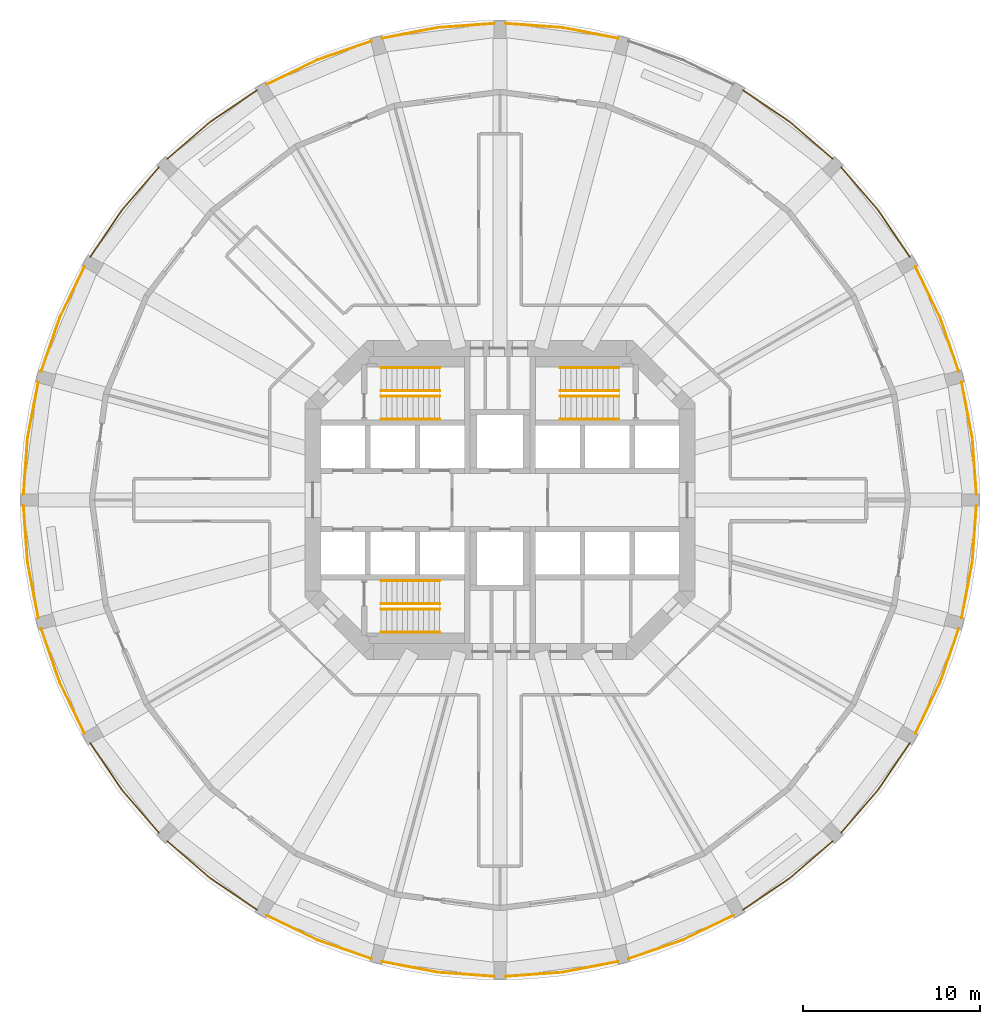
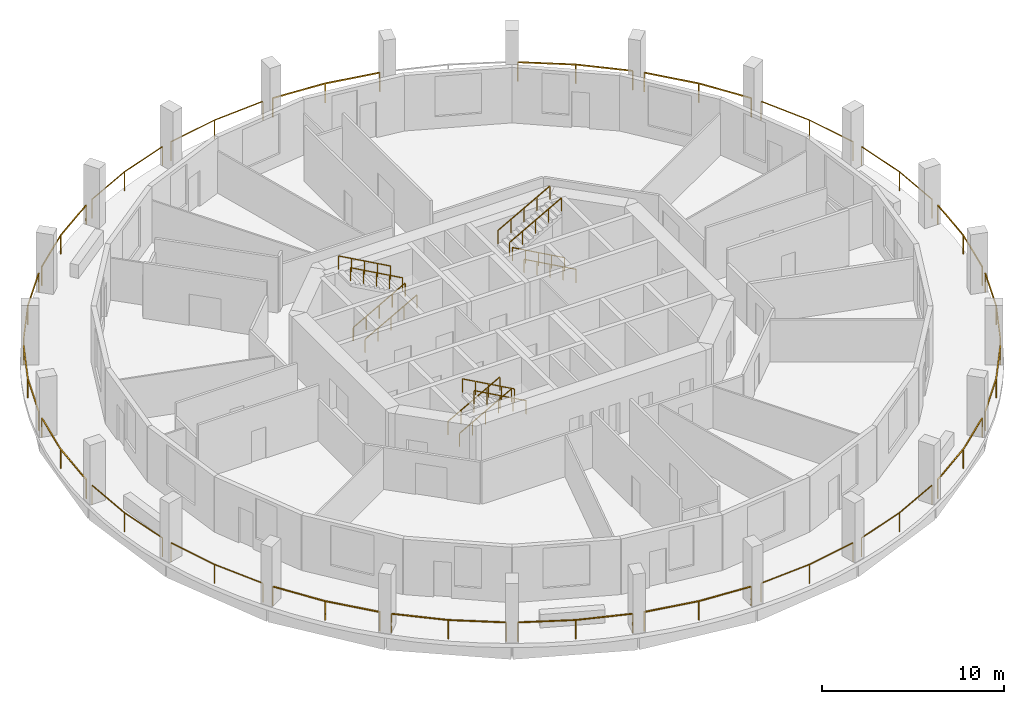
# One storey, part 8 of 9: 35 railings.
"""IFC4 building model written with IfcOpenShell, lengths in metres."""

from ifc_helpers import new_model, si_unit, direction, frame, origin, origin_2d, place, context, subcontext, project, spatial, rectangle, extrude, material, type_object, element, save


model = new_model("IFC4")

# Units and contexts
model_context = context("Model", 3, precision=1e-05, world=origin(), true_north=direction((0.0, 1.0)))
body_context = subcontext(model_context, "Body", "Model", "MODEL_VIEW")
ifc_project = project(units=[si_unit("LENGTHUNIT", "METRE"), si_unit("AREAUNIT", "SQUARE_METRE"), si_unit("VOLUMEUNIT", "CUBIC_METRE"), si_unit("PLANEANGLEUNIT", "RADIAN"), si_unit("MASSUNIT", "GRAM", prefix="KILO")], contexts=[model_context])

# Site, building, storey
site_placement = place(None, origin())
site = spatial("IfcSite", under=ifc_project, at=site_placement, CompositionType="ELEMENT")
building_placement = place(site_placement, origin())
building = spatial("IfcBuilding", under=site, at=building_placement, Name="Torre Triforio", CompositionType="ELEMENT")
storey_placement = place(building_placement, frame((0.0, 0.0, 71.0)))
storey = spatial("IfcBuildingStorey", under=building, at=storey_placement, Name="L15", CompositionType="ELEMENT", Elevation=71.0)

# Railings
ifc_material = material(Name="Stainless steel AISI 316", Category="steel")
railing_type_1 = type_object("IfcRailingType", Name="HANDRAIL 920", PredefinedType="HANDRAIL", material=ifc_material)
for number, where, name in (
    (1, (-6.699951171875, 4.550048828125, 0.166748046875), "Handrail ST1"),
    (2, (-6.699951171875, 5.85009765625, 0.166748046875), "Handrail ST1"),
):
    element("IfcRailing", number, at=place(storey_placement, frame(where)), inside=storey, type_object=railing_type_1, Name=name, PredefinedType="HANDRAIL", context=body_context, shape_type="SweptSolid", body=[
        extrude(rectangle(XDim=0.048095703125, YDim=0.048095703125, at=origin_2d()), frame((0.0, 0.0, 0.89599609375), z_axis=(0.874169478083, 0.0, 0.485620966999), x_axis=(0.0, 1.0, 0.0)), (0.0, 0.0, 1.0), 3.775146484375),
        extrude(rectangle(XDim=0.0419921875, YDim=0.0419921875, at=origin_2d()), origin(), (0.0, 0.0, 1.0), 0.871826171875),
        extrude(rectangle(XDim=0.0419921875, YDim=0.0419921875, at=origin_2d()), frame((0.824951171875, 0.0, 0.458251953125)), (0.0, 0.0, 1.0), 0.871826171875),
        extrude(rectangle(XDim=0.0419921875, YDim=0.0419921875, at=origin_2d()), frame((1.64990234375, 0.0, 0.91650390625)), (0.0, 0.0, 1.0), 0.871826171875),
        extrude(rectangle(XDim=0.0419921875, YDim=0.0419921875, at=origin_2d()), frame((2.47509765625, 0.0, 1.375)), (0.0, 0.0, 1.0), 0.871826171875),
        extrude(rectangle(XDim=0.0419921875, YDim=0.0419921875, at=origin_2d()), frame((3.300048828125, 0.0, 1.833251953125)), (0.0, 0.0, 1.0), 0.871826171875),
    ])
for number, where, name in (
    (3, (-3.39990234375, 7.449951171875, 2.166748046875), "Handrail ST1"),
    (4, (-3.39990234375, 6.14990234375, 2.166748046875), "Handrail ST1"),
    (5, (6.699951171875, 4.550048828125, 0.166748046875), "Handrail ST2"),
    (6, (6.699951171875, 5.85009765625, 0.166748046875), "Handrail ST2"),
):
    element("IfcRailing", number, at=place(storey_placement, frame(where)), inside=storey, type_object=railing_type_1, Name=name, PredefinedType="HANDRAIL", context=body_context, shape_type="SweptSolid", body=[
        extrude(rectangle(XDim=0.048095703125, YDim=0.048095703125, at=origin_2d()), frame((0.0, 0.0, 0.89599609375), z_axis=(-0.874169478083, 0.0, 0.485620966999), x_axis=(0.0, -1.0, 0.0)), (0.0, 0.0, 1.0), 3.775146484375),
        extrude(rectangle(XDim=0.0419921875, YDim=0.0419921875, at=origin_2d()), origin(), (0.0, 0.0, 1.0), 0.871826171875),
        extrude(rectangle(XDim=0.0419921875, YDim=0.0419921875, at=origin_2d()), frame((-0.824951171875, 0.0, 0.458251953125)), (0.0, 0.0, 1.0), 0.871826171875),
        extrude(rectangle(XDim=0.0419921875, YDim=0.0419921875, at=origin_2d()), frame((-1.64990234375, 0.0, 0.91650390625)), (0.0, 0.0, 1.0), 0.871826171875),
        extrude(rectangle(XDim=0.0419921875, YDim=0.0419921875, at=origin_2d()), frame((-2.47509765625, 0.0, 1.375)), (0.0, 0.0, 1.0), 0.871826171875),
        extrude(rectangle(XDim=0.0419921875, YDim=0.0419921875, at=origin_2d()), frame((-3.300048828125, 0.0, 1.833251953125)), (0.0, 0.0, 1.0), 0.871826171875),
    ])
for number, where, name in (
    (7, (3.39990234375, 7.449951171875, 2.166748046875), "Handrail ST2"),
    (8, (3.39990234375, 6.14990234375, 2.166748046875), "Handrail ST2"),
    (9, (-6.699951171875, -4.550048828125, 0.166748046875), "Handrail ST3"),
    (10, (-6.699951171875, -5.85009765625, 0.166748046875), "Handrail ST3"),
):
    element("IfcRailing", number, at=place(storey_placement, frame(where)), inside=storey, type_object=railing_type_1, Name=name, PredefinedType="HANDRAIL", context=body_context, shape_type="SweptSolid", body=[
        extrude(rectangle(XDim=0.048095703125, YDim=0.048095703125, at=origin_2d()), frame((0.0, 0.0, 0.89599609375), z_axis=(0.874169478083, 0.0, 0.485620966999), x_axis=(0.0, 1.0, 0.0)), (0.0, 0.0, 1.0), 3.775146484375),
        extrude(rectangle(XDim=0.0419921875, YDim=0.0419921875, at=origin_2d()), origin(), (0.0, 0.0, 1.0), 0.871826171875),
        extrude(rectangle(XDim=0.0419921875, YDim=0.0419921875, at=origin_2d()), frame((0.824951171875, 0.0, 0.458251953125)), (0.0, 0.0, 1.0), 0.871826171875),
        extrude(rectangle(XDim=0.0419921875, YDim=0.0419921875, at=origin_2d()), frame((1.64990234375, 0.0, 0.91650390625)), (0.0, 0.0, 1.0), 0.871826171875),
        extrude(rectangle(XDim=0.0419921875, YDim=0.0419921875, at=origin_2d()), frame((2.47509765625, 0.0, 1.375)), (0.0, 0.0, 1.0), 0.871826171875),
        extrude(rectangle(XDim=0.0419921875, YDim=0.0419921875, at=origin_2d()), frame((3.300048828125, 0.0, 1.833251953125)), (0.0, 0.0, 1.0), 0.871826171875),
    ])
for number, where, name in (
    (11, (-3.39990234375, -7.449951171875, 2.166748046875), "Handrail ST3"),
    (12, (-3.39990234375, -6.14990234375, 2.166748046875), "Handrail ST3"),
):
    element("IfcRailing", number, at=place(storey_placement, frame(where)), inside=storey, type_object=railing_type_1, Name=name, PredefinedType="HANDRAIL", context=body_context, shape_type="SweptSolid", body=[
        extrude(rectangle(XDim=0.048095703125, YDim=0.048095703125, at=origin_2d()), frame((0.0, 0.0, 0.89599609375), z_axis=(-0.874169478083, 0.0, 0.485620966999), x_axis=(0.0, -1.0, 0.0)), (0.0, 0.0, 1.0), 3.775146484375),
        extrude(rectangle(XDim=0.0419921875, YDim=0.0419921875, at=origin_2d()), origin(), (0.0, 0.0, 1.0), 0.871826171875),
        extrude(rectangle(XDim=0.0419921875, YDim=0.0419921875, at=origin_2d()), frame((-0.824951171875, 0.0, 0.458251953125)), (0.0, 0.0, 1.0), 0.871826171875),
        extrude(rectangle(XDim=0.0419921875, YDim=0.0419921875, at=origin_2d()), frame((-1.64990234375, 0.0, 0.91650390625)), (0.0, 0.0, 1.0), 0.871826171875),
        extrude(rectangle(XDim=0.0419921875, YDim=0.0419921875, at=origin_2d()), frame((-2.47509765625, 0.0, 1.375)), (0.0, 0.0, 1.0), 0.871826171875),
        extrude(rectangle(XDim=0.0419921875, YDim=0.0419921875, at=origin_2d()), frame((-3.300048828125, 0.0, 1.833251953125)), (0.0, 0.0, 1.0), 0.871826171875),
    ])
railing_type_2 = type_object("IfcRailingType", Name="Loggia guard 1300", PredefinedType="GUARDRAIL", material=ifc_material)
railing_1_placement = place(storey_placement, frame((26.85009765625, 0.320068359375, 0.0)))
element("IfcRailing", 13, at=railing_1_placement, inside=storey, type_object=railing_type_2, Name="Loggia guard L15 bay 01", PredefinedType="GUARDRAIL", context=body_context, shape_type="SweptSolid", body=[
    extrude(rectangle(XDim=0.050048828125, YDim=0.050048828125, at=origin_2d()), frame((0.0, 0.0, 1.27490234375), z_axis=(-0.071953458998, 0.997407990613, 0.0), x_axis=(-0.997407990613, -0.071953458998, 0.0)), (0.0, 0.0, 1.0), 3.19287109375),
    extrude(rectangle(XDim=0.050048828125, YDim=0.050048828125, at=origin_2d()), frame((-0.229736328125, 3.1845703125, 1.27490234375), z_axis=(-0.188714097365, 0.982032071501, 0.0), x_axis=(-0.982032071501, -0.188714097365, 0.0)), (0.0, 0.0, 1.0), 3.19287109375),
    extrude(rectangle(XDim=0.0400390625, YDim=0.0400390625, at=origin_2d()), origin(), (0.0, 0.0, 1.0), 1.25),
    extrude(rectangle(XDim=0.0400390625, YDim=0.0400390625, at=origin_2d()), frame((-0.229736328125, 3.1845703125, 0.0)), (0.0, 0.0, 1.0), 1.25),
    extrude(rectangle(XDim=0.0400390625, YDim=0.0400390625, at=origin_2d()), frame((-0.832275390625, 6.320068359375, 0.0)), (0.0, 0.0, 1.0), 1.25),
])
railing_2_placement = place(storey_placement, frame((25.852294921875, 7.25830078125, 0.0)))
element("IfcRailing", 14, at=railing_2_placement, inside=storey, type_object=railing_type_2, Name="Loggia guard L15 bay 02", PredefinedType="GUARDRAIL", context=body_context, shape_type="SweptSolid", body=[
    extrude(rectangle(XDim=0.050048828125, YDim=0.050048828125, at=origin_2d()), frame((0.0, 0.0, 1.27490234375), z_axis=(-0.327627852034, 0.94480685358, 0.0), x_axis=(-0.94480685358, -0.327627852034, 0.0)), (0.0, 0.0, 1.0), 3.193115234375),
    extrude(rectangle(XDim=0.050048828125, YDim=0.050048828125, at=origin_2d()), frame((-1.046142578125, 3.016845703125, 1.27490234375), z_axis=(-0.436384192305, 0.899760432952, 0.0), x_axis=(-0.899760432952, -0.436384192305, 0.0)), (0.0, 0.0, 1.0), 3.19287109375),
    extrude(rectangle(XDim=0.0400390625, YDim=0.0400390625, at=origin_2d()), origin(), (0.0, 0.0, 1.0), 1.25),
    extrude(rectangle(XDim=0.0400390625, YDim=0.0400390625, at=origin_2d()), frame((-1.046142578125, 3.016845703125, 0.0)), (0.0, 0.0, 1.0), 1.25),
    extrude(rectangle(XDim=0.0400390625, YDim=0.0400390625, at=origin_2d()), frame((-2.439453125, 5.8896484375, 0.0)), (0.0, 0.0, 1.0), 1.25),
])
railing_3_placement = place(storey_placement, frame((23.0927734375, 13.7021484375, 0.0)))
element("IfcRailing", 15, at=railing_3_placement, inside=storey, type_object=railing_type_2, Name="Loggia guard L15 bay 03", PredefinedType="GUARDRAIL", context=body_context, shape_type="SweptSolid", body=[
    extrude(rectangle(XDim=0.050048828125, YDim=0.050048828125, at=origin_2d()), frame((0.0, 0.0, 1.27490234375), z_axis=(-0.561018896338, 0.82780299465, 0.0), x_axis=(-0.82780299465, -0.561018896338, 0.0)), (0.0, 0.0, 1.0), 3.19287109375),
    extrude(rectangle(XDim=0.050048828125, YDim=0.050048828125, at=origin_2d()), frame((-1.791259765625, 2.64306640625, 1.27490234375), z_axis=(-0.654385993255, 0.756160678581, 0.0), x_axis=(-0.756160678581, -0.654385993255, 0.0)), (0.0, 0.0, 1.0), 3.19287109375),
    extrude(rectangle(XDim=0.0400390625, YDim=0.0400390625, at=origin_2d()), origin(), (0.0, 0.0, 1.0), 1.25),
    extrude(rectangle(XDim=0.0400390625, YDim=0.0400390625, at=origin_2d()), frame((-1.791259765625, 2.64306640625, 0.0)), (0.0, 0.0, 1.0), 1.25),
    extrude(rectangle(XDim=0.0400390625, YDim=0.0400390625, at=origin_2d()), frame((-3.880615234375, 5.057373046875, 0.0)), (0.0, 0.0, 1.0), 1.25),
])
railing_4_placement = place(storey_placement, frame((18.759521484375, 19.212158203125, 0.0)))
element("IfcRailing", 16, at=railing_4_placement, inside=storey, type_object=railing_type_2, Name="Loggia guard L15 bay 04", PredefinedType="GUARDRAIL", context=body_context, shape_type="SweptSolid", body=[
    extrude(rectangle(XDim=0.050048828125, YDim=0.050048828125, at=origin_2d()), frame((0.0, 0.0, 1.27490234375), z_axis=(-0.756160678581, 0.654385993255, 0.0), x_axis=(-0.654385993255, -0.756160678581, 0.0)), (0.0, 0.0, 1.0), 3.19287109375),
    extrude(rectangle(XDim=0.050048828125, YDim=0.050048828125, at=origin_2d()), frame((-2.414306640625, 2.08935546875, 1.27490234375), z_axis=(-0.82780299465, 0.561018896338, 0.0), x_axis=(-0.561018896338, -0.82780299465, 0.0)), (0.0, 0.0, 1.0), 3.19287109375),
    extrude(rectangle(XDim=0.0400390625, YDim=0.0400390625, at=origin_2d()), origin(), (0.0, 0.0, 1.0), 1.25),
    extrude(rectangle(XDim=0.0400390625, YDim=0.0400390625, at=origin_2d()), frame((-2.414306640625, 2.08935546875, 0.0)), (0.0, 0.0, 1.0), 1.25),
    extrude(rectangle(XDim=0.0400390625, YDim=0.0400390625, at=origin_2d()), frame((-5.057373046875, 3.880615234375, 0.0)), (0.0, 0.0, 1.0), 1.25),
])
railing_5_placement = place(storey_placement, frame((6.64013671875, 26.017822265625, 0.0)))
element("IfcRailing", 17, at=railing_5_placement, inside=storey, type_object=railing_type_2, Name="Loggia guard L15 bay 06", PredefinedType="GUARDRAIL", context=body_context, shape_type="SweptSolid", body=[
    extrude(rectangle(XDim=0.050048828125, YDim=0.050048828125, at=origin_2d()), frame((0.0, 0.0, 1.27490234375), z_axis=(-0.982032071501, 0.188714097365, 0.0), x_axis=(-0.188714097365, -0.982032071501, 0.0)), (0.0, 0.0, 1.0), 3.19287109375),
    extrude(rectangle(XDim=0.050048828125, YDim=0.050048828125, at=origin_2d()), frame((-3.135498046875, 0.6025390625, 1.27490234375), z_axis=(-0.997407990613, 0.071953458998, 0.0), x_axis=(-0.071953458998, -0.997407990613, 0.0)), (0.0, 0.0, 1.0), 3.19287109375),
    extrude(rectangle(XDim=0.0400390625, YDim=0.0400390625, at=origin_2d()), origin(), (0.0, 0.0, 1.0), 1.25),
    extrude(rectangle(XDim=0.0400390625, YDim=0.0400390625, at=origin_2d()), frame((-3.135498046875, 0.6025390625, 0.0)), (0.0, 0.0, 1.0), 1.25),
    extrude(rectangle(XDim=0.0400390625, YDim=0.0400390625, at=origin_2d()), frame((-6.320068359375, 0.832275390625, 0.0)), (0.0, 0.0, 1.0), 1.25),
])
railing_6_placement = place(storey_placement, frame((-0.320068359375, 26.85009765625, 0.0)))
element("IfcRailing", 18, at=railing_6_placement, inside=storey, type_object=railing_type_2, Name="Loggia guard L15 bay 07", PredefinedType="GUARDRAIL", context=body_context, shape_type="SweptSolid", body=[
    extrude(rectangle(XDim=0.050048828125, YDim=0.050048828125, at=origin_2d()), frame((0.0, 0.0, 1.27490234375), z_axis=(-0.997407990613, -0.071953458998, 0.0), x_axis=(0.071953458998, -0.997407990613, 0.0)), (0.0, 0.0, 1.0), 3.19287109375),
    extrude(rectangle(XDim=0.050048828125, YDim=0.050048828125, at=origin_2d()), frame((-3.1845703125, -0.229736328125, 1.27490234375), z_axis=(-0.982032071501, -0.188714097365, 0.0), x_axis=(0.188714097365, -0.982032071501, 0.0)), (0.0, 0.0, 1.0), 3.19287109375),
    extrude(rectangle(XDim=0.0400390625, YDim=0.0400390625, at=origin_2d()), origin(), (0.0, 0.0, 1.0), 1.25),
    extrude(rectangle(XDim=0.0400390625, YDim=0.0400390625, at=origin_2d()), frame((-3.1845703125, -0.229736328125, 0.0)), (0.0, 0.0, 1.0), 1.25),
    extrude(rectangle(XDim=0.0400390625, YDim=0.0400390625, at=origin_2d()), frame((-6.320068359375, -0.832275390625, 0.0)), (0.0, 0.0, 1.0), 1.25),
])
railing_7_placement = place(storey_placement, frame((-7.25830078125, 25.852294921875, 0.0)))
element("IfcRailing", 19, at=railing_7_placement, inside=storey, type_object=railing_type_2, Name="Loggia guard L15 bay 08", PredefinedType="GUARDRAIL", context=body_context, shape_type="SweptSolid", body=[
    extrude(rectangle(XDim=0.050048828125, YDim=0.050048828125, at=origin_2d()), frame((0.0, 0.0, 1.27490234375), z_axis=(-0.94480685358, -0.327627852034, 0.0), x_axis=(0.327627852034, -0.94480685358, 0.0)), (0.0, 0.0, 1.0), 3.193115234375),
    extrude(rectangle(XDim=0.050048828125, YDim=0.050048828125, at=origin_2d()), frame((-3.016845703125, -1.046142578125, 1.27490234375), z_axis=(-0.899760432952, -0.436384192305, 0.0), x_axis=(0.436384192305, -0.899760432952, 0.0)), (0.0, 0.0, 1.0), 3.19287109375),
    extrude(rectangle(XDim=0.0400390625, YDim=0.0400390625, at=origin_2d()), origin(), (0.0, 0.0, 1.0), 1.25),
    extrude(rectangle(XDim=0.0400390625, YDim=0.0400390625, at=origin_2d()), frame((-3.016845703125, -1.046142578125, 0.0)), (0.0, 0.0, 1.0), 1.25),
    extrude(rectangle(XDim=0.0400390625, YDim=0.0400390625, at=origin_2d()), frame((-5.8896484375, -2.439453125, 0.0)), (0.0, 0.0, 1.0), 1.25),
])
railing_8_placement = place(storey_placement, frame((-13.7021484375, 23.0927734375, 0.0)))
element("IfcRailing", 20, at=railing_8_placement, inside=storey, type_object=railing_type_2, Name="Loggia guard L15 bay 09", PredefinedType="GUARDRAIL", context=body_context, shape_type="SweptSolid", body=[
    extrude(rectangle(XDim=0.050048828125, YDim=0.050048828125, at=origin_2d()), frame((0.0, 0.0, 1.27490234375), z_axis=(-0.82780299465, -0.561018896338, 0.0), x_axis=(0.561018896338, -0.82780299465, 0.0)), (0.0, 0.0, 1.0), 3.19287109375),
    extrude(rectangle(XDim=0.050048828125, YDim=0.050048828125, at=origin_2d()), frame((-2.64306640625, -1.791259765625, 1.27490234375), z_axis=(-0.756160678581, -0.654385993255, 0.0), x_axis=(0.654385993255, -0.756160678581, 0.0)), (0.0, 0.0, 1.0), 3.19287109375),
    extrude(rectangle(XDim=0.0400390625, YDim=0.0400390625, at=origin_2d()), origin(), (0.0, 0.0, 1.0), 1.25),
    extrude(rectangle(XDim=0.0400390625, YDim=0.0400390625, at=origin_2d()), frame((-2.64306640625, -1.791259765625, 0.0)), (0.0, 0.0, 1.0), 1.25),
    extrude(rectangle(XDim=0.0400390625, YDim=0.0400390625, at=origin_2d()), frame((-5.057373046875, -3.880615234375, 0.0)), (0.0, 0.0, 1.0), 1.25),
])
railing_9_placement = place(storey_placement, frame((-19.212158203125, 18.759521484375, 0.0)))
element("IfcRailing", 21, at=railing_9_placement, inside=storey, type_object=railing_type_2, Name="Loggia guard L15 bay 10", PredefinedType="GUARDRAIL", context=body_context, shape_type="SweptSolid", body=[
    extrude(rectangle(XDim=0.050048828125, YDim=0.050048828125, at=origin_2d()), frame((0.0, 0.0, 1.27490234375), z_axis=(-0.654385993255, -0.756160678581, 0.0), x_axis=(0.756160678581, -0.654385993255, 0.0)), (0.0, 0.0, 1.0), 3.19287109375),
    extrude(rectangle(XDim=0.050048828125, YDim=0.050048828125, at=origin_2d()), frame((-2.08935546875, -2.414306640625, 1.27490234375), z_axis=(-0.561018896338, -0.82780299465, 0.0), x_axis=(0.82780299465, -0.561018896338, 0.0)), (0.0, 0.0, 1.0), 3.19287109375),
    extrude(rectangle(XDim=0.0400390625, YDim=0.0400390625, at=origin_2d()), origin(), (0.0, 0.0, 1.0), 1.25),
    extrude(rectangle(XDim=0.0400390625, YDim=0.0400390625, at=origin_2d()), frame((-2.08935546875, -2.414306640625, 0.0)), (0.0, 0.0, 1.0), 1.25),
    extrude(rectangle(XDim=0.0400390625, YDim=0.0400390625, at=origin_2d()), frame((-3.880615234375, -5.057373046875, 0.0)), (0.0, 0.0, 1.0), 1.25),
])
railing_10_placement = place(storey_placement, frame((-23.412841796875, 13.14794921875, 0.0)))
element("IfcRailing", 22, at=railing_10_placement, inside=storey, type_object=railing_type_2, Name="Loggia guard L15 bay 11", PredefinedType="GUARDRAIL", context=body_context, shape_type="SweptSolid", body=[
    extrude(rectangle(XDim=0.050048828125, YDim=0.050048828125, at=origin_2d()), frame((0.0, 0.0, 1.27490234375), z_axis=(-0.436384192305, -0.899760432952, 0.0), x_axis=(0.899760432952, -0.436384192305, 0.0)), (0.0, 0.0, 1.0), 3.19287109375),
    extrude(rectangle(XDim=0.050048828125, YDim=0.050048828125, at=origin_2d()), frame((-1.393310546875, -2.872802734375, 1.27490234375), z_axis=(-0.327627852034, -0.94480685358, 0.0), x_axis=(0.94480685358, -0.327627852034, 0.0)), (0.0, 0.0, 1.0), 3.193115234375),
    extrude(rectangle(XDim=0.0400390625, YDim=0.0400390625, at=origin_2d()), origin(), (0.0, 0.0, 1.0), 1.25),
    extrude(rectangle(XDim=0.0400390625, YDim=0.0400390625, at=origin_2d()), frame((-1.393310546875, -2.872802734375, 0.0)), (0.0, 0.0, 1.0), 1.25),
    extrude(rectangle(XDim=0.0400390625, YDim=0.0400390625, at=origin_2d()), frame((-2.439453125, -5.8896484375, 0.0)), (0.0, 0.0, 1.0), 1.25),
])
railing_11_placement = place(storey_placement, frame((-26.017822265625, 6.64013671875, 0.0)))
element("IfcRailing", 23, at=railing_11_placement, inside=storey, type_object=railing_type_2, Name="Loggia guard L15 bay 12", PredefinedType="GUARDRAIL", context=body_context, shape_type="SweptSolid", body=[
    extrude(rectangle(XDim=0.050048828125, YDim=0.050048828125, at=origin_2d()), frame((0.0, 0.0, 1.27490234375), z_axis=(-0.188714097365, -0.982032071501, 0.0), x_axis=(0.982032071501, -0.188714097365, 0.0)), (0.0, 0.0, 1.0), 3.19287109375),
    extrude(rectangle(XDim=0.050048828125, YDim=0.050048828125, at=origin_2d()), frame((-0.6025390625, -3.135498046875, 1.27490234375), z_axis=(-0.071953458998, -0.997407990613, 0.0), x_axis=(0.997407990613, -0.071953458998, 0.0)), (0.0, 0.0, 1.0), 3.19287109375),
    extrude(rectangle(XDim=0.0400390625, YDim=0.0400390625, at=origin_2d()), origin(), (0.0, 0.0, 1.0), 1.25),
    extrude(rectangle(XDim=0.0400390625, YDim=0.0400390625, at=origin_2d()), frame((-0.6025390625, -3.135498046875, 0.0)), (0.0, 0.0, 1.0), 1.25),
    extrude(rectangle(XDim=0.0400390625, YDim=0.0400390625, at=origin_2d()), frame((-0.832275390625, -6.320068359375, 0.0)), (0.0, 0.0, 1.0), 1.25),
])
railing_12_placement = place(storey_placement, frame((-26.85009765625, -0.320068359375, 0.0)))
element("IfcRailing", 24, at=railing_12_placement, inside=storey, type_object=railing_type_2, Name="Loggia guard L15 bay 13", PredefinedType="GUARDRAIL", context=body_context, shape_type="SweptSolid", body=[
    extrude(rectangle(XDim=0.050048828125, YDim=0.050048828125, at=origin_2d()), frame((0.0, 0.0, 1.27490234375), z_axis=(0.071953458998, -0.997407990613, 0.0), x_axis=(0.997407990613, 0.071953458998, 0.0)), (0.0, 0.0, 1.0), 3.19287109375),
    extrude(rectangle(XDim=0.050048828125, YDim=0.050048828125, at=origin_2d()), frame((0.229736328125, -3.1845703125, 1.27490234375), z_axis=(0.188714097365, -0.982032071501, 0.0), x_axis=(0.982032071501, 0.188714097365, 0.0)), (0.0, 0.0, 1.0), 3.19287109375),
    extrude(rectangle(XDim=0.0400390625, YDim=0.0400390625, at=origin_2d()), origin(), (0.0, 0.0, 1.0), 1.25),
    extrude(rectangle(XDim=0.0400390625, YDim=0.0400390625, at=origin_2d()), frame((0.229736328125, -3.1845703125, 0.0)), (0.0, 0.0, 1.0), 1.25),
    extrude(rectangle(XDim=0.0400390625, YDim=0.0400390625, at=origin_2d()), frame((0.832275390625, -6.320068359375, 0.0)), (0.0, 0.0, 1.0), 1.25),
])
railing_13_placement = place(storey_placement, frame((-25.852294921875, -7.25830078125, 0.0)))
element("IfcRailing", 25, at=railing_13_placement, inside=storey, type_object=railing_type_2, Name="Loggia guard L15 bay 14", PredefinedType="GUARDRAIL", context=body_context, shape_type="SweptSolid", body=[
    extrude(rectangle(XDim=0.050048828125, YDim=0.050048828125, at=origin_2d()), frame((0.0, 0.0, 1.27490234375), z_axis=(0.327627852034, -0.94480685358, 0.0), x_axis=(0.94480685358, 0.327627852034, 0.0)), (0.0, 0.0, 1.0), 3.193115234375),
    extrude(rectangle(XDim=0.050048828125, YDim=0.050048828125, at=origin_2d()), frame((1.046142578125, -3.016845703125, 1.27490234375), z_axis=(0.436384192305, -0.899760432952, 0.0), x_axis=(0.899760432952, 0.436384192305, 0.0)), (0.0, 0.0, 1.0), 3.19287109375),
    extrude(rectangle(XDim=0.0400390625, YDim=0.0400390625, at=origin_2d()), origin(), (0.0, 0.0, 1.0), 1.25),
    extrude(rectangle(XDim=0.0400390625, YDim=0.0400390625, at=origin_2d()), frame((1.046142578125, -3.016845703125, 0.0)), (0.0, 0.0, 1.0), 1.25),
    extrude(rectangle(XDim=0.0400390625, YDim=0.0400390625, at=origin_2d()), frame((2.439453125, -5.8896484375, 0.0)), (0.0, 0.0, 1.0), 1.25),
])
railing_14_placement = place(storey_placement, frame((-23.0927734375, -13.7021484375, 0.0)))
element("IfcRailing", 26, at=railing_14_placement, inside=storey, type_object=railing_type_2, Name="Loggia guard L15 bay 15", PredefinedType="GUARDRAIL", context=body_context, shape_type="SweptSolid", body=[
    extrude(rectangle(XDim=0.050048828125, YDim=0.050048828125, at=origin_2d()), frame((0.0, 0.0, 1.27490234375), z_axis=(0.561018896338, -0.82780299465, 0.0), x_axis=(0.82780299465, 0.561018896338, 0.0)), (0.0, 0.0, 1.0), 3.19287109375),
    extrude(rectangle(XDim=0.050048828125, YDim=0.050048828125, at=origin_2d()), frame((1.791259765625, -2.64306640625, 1.27490234375), z_axis=(0.654385993255, -0.756160678581, 0.0), x_axis=(0.756160678581, 0.654385993255, 0.0)), (0.0, 0.0, 1.0), 3.19287109375),
    extrude(rectangle(XDim=0.0400390625, YDim=0.0400390625, at=origin_2d()), origin(), (0.0, 0.0, 1.0), 1.25),
    extrude(rectangle(XDim=0.0400390625, YDim=0.0400390625, at=origin_2d()), frame((1.791259765625, -2.64306640625, 0.0)), (0.0, 0.0, 1.0), 1.25),
    extrude(rectangle(XDim=0.0400390625, YDim=0.0400390625, at=origin_2d()), frame((3.880615234375, -5.057373046875, 0.0)), (0.0, 0.0, 1.0), 1.25),
])
railing_15_placement = place(storey_placement, frame((-18.759521484375, -19.212158203125, 0.0)))
element("IfcRailing", 27, at=railing_15_placement, inside=storey, type_object=railing_type_2, Name="Loggia guard L15 bay 16", PredefinedType="GUARDRAIL", context=body_context, shape_type="SweptSolid", body=[
    extrude(rectangle(XDim=0.050048828125, YDim=0.050048828125, at=origin_2d()), frame((0.0, 0.0, 1.27490234375), z_axis=(0.756160678581, -0.654385993255, 0.0), x_axis=(0.654385993255, 0.756160678581, 0.0)), (0.0, 0.0, 1.0), 3.19287109375),
    extrude(rectangle(XDim=0.050048828125, YDim=0.050048828125, at=origin_2d()), frame((2.414306640625, -2.08935546875, 1.27490234375), z_axis=(0.82780299465, -0.561018896338, 0.0), x_axis=(0.561018896338, 0.82780299465, 0.0)), (0.0, 0.0, 1.0), 3.19287109375),
    extrude(rectangle(XDim=0.0400390625, YDim=0.0400390625, at=origin_2d()), origin(), (0.0, 0.0, 1.0), 1.25),
    extrude(rectangle(XDim=0.0400390625, YDim=0.0400390625, at=origin_2d()), frame((2.414306640625, -2.08935546875, 0.0)), (0.0, 0.0, 1.0), 1.25),
    extrude(rectangle(XDim=0.0400390625, YDim=0.0400390625, at=origin_2d()), frame((5.057373046875, -3.880615234375, 0.0)), (0.0, 0.0, 1.0), 1.25),
])
railing_16_placement = place(storey_placement, frame((-13.14794921875, -23.412841796875, 0.0)))
element("IfcRailing", 28, at=railing_16_placement, inside=storey, type_object=railing_type_2, Name="Loggia guard L15 bay 17", PredefinedType="GUARDRAIL", context=body_context, shape_type="SweptSolid", body=[
    extrude(rectangle(XDim=0.050048828125, YDim=0.050048828125, at=origin_2d()), frame((0.0, 0.0, 1.27490234375), z_axis=(0.899760432952, -0.436384192305, 0.0), x_axis=(0.436384192305, 0.899760432952, 0.0)), (0.0, 0.0, 1.0), 3.19287109375),
    extrude(rectangle(XDim=0.050048828125, YDim=0.050048828125, at=origin_2d()), frame((2.872802734375, -1.393310546875, 1.27490234375), z_axis=(0.94480685358, -0.327627852034, 0.0), x_axis=(0.327627852034, 0.94480685358, 0.0)), (0.0, 0.0, 1.0), 3.193115234375),
    extrude(rectangle(XDim=0.0400390625, YDim=0.0400390625, at=origin_2d()), origin(), (0.0, 0.0, 1.0), 1.25),
    extrude(rectangle(XDim=0.0400390625, YDim=0.0400390625, at=origin_2d()), frame((2.872802734375, -1.393310546875, 0.0)), (0.0, 0.0, 1.0), 1.25),
    extrude(rectangle(XDim=0.0400390625, YDim=0.0400390625, at=origin_2d()), frame((5.8896484375, -2.439453125, 0.0)), (0.0, 0.0, 1.0), 1.25),
])
railing_17_placement = place(storey_placement, frame((-6.64013671875, -26.017822265625, 0.0)))
element("IfcRailing", 29, at=railing_17_placement, inside=storey, type_object=railing_type_2, Name="Loggia guard L15 bay 18", PredefinedType="GUARDRAIL", context=body_context, shape_type="SweptSolid", body=[
    extrude(rectangle(XDim=0.050048828125, YDim=0.050048828125, at=origin_2d()), frame((0.0, 0.0, 1.27490234375), z_axis=(0.982032071501, -0.188714097365, 0.0), x_axis=(0.188714097365, 0.982032071501, 0.0)), (0.0, 0.0, 1.0), 3.19287109375),
    extrude(rectangle(XDim=0.050048828125, YDim=0.050048828125, at=origin_2d()), frame((3.135498046875, -0.6025390625, 1.27490234375), z_axis=(0.997407990613, -0.071953458998, 0.0), x_axis=(0.071953458998, 0.997407990613, 0.0)), (0.0, 0.0, 1.0), 3.19287109375),
    extrude(rectangle(XDim=0.0400390625, YDim=0.0400390625, at=origin_2d()), origin(), (0.0, 0.0, 1.0), 1.25),
    extrude(rectangle(XDim=0.0400390625, YDim=0.0400390625, at=origin_2d()), frame((3.135498046875, -0.6025390625, 0.0)), (0.0, 0.0, 1.0), 1.25),
    extrude(rectangle(XDim=0.0400390625, YDim=0.0400390625, at=origin_2d()), frame((6.320068359375, -0.832275390625, 0.0)), (0.0, 0.0, 1.0), 1.25),
])
railing_18_placement = place(storey_placement, frame((0.320068359375, -26.85009765625, 0.0)))
element("IfcRailing", 30, at=railing_18_placement, inside=storey, type_object=railing_type_2, Name="Loggia guard L15 bay 19", PredefinedType="GUARDRAIL", context=body_context, shape_type="SweptSolid", body=[
    extrude(rectangle(XDim=0.050048828125, YDim=0.050048828125, at=origin_2d()), frame((0.0, 0.0, 1.27490234375), z_axis=(0.997407990613, 0.071953458998, 0.0), x_axis=(-0.071953458998, 0.997407990613, 0.0)), (0.0, 0.0, 1.0), 3.19287109375),
    extrude(rectangle(XDim=0.050048828125, YDim=0.050048828125, at=origin_2d()), frame((3.1845703125, 0.229736328125, 1.27490234375), z_axis=(0.982032071501, 0.188714097365, 0.0), x_axis=(-0.188714097365, 0.982032071501, 0.0)), (0.0, 0.0, 1.0), 3.19287109375),
    extrude(rectangle(XDim=0.0400390625, YDim=0.0400390625, at=origin_2d()), origin(), (0.0, 0.0, 1.0), 1.25),
    extrude(rectangle(XDim=0.0400390625, YDim=0.0400390625, at=origin_2d()), frame((3.1845703125, 0.229736328125, 0.0)), (0.0, 0.0, 1.0), 1.25),
    extrude(rectangle(XDim=0.0400390625, YDim=0.0400390625, at=origin_2d()), frame((6.320068359375, 0.832275390625, 0.0)), (0.0, 0.0, 1.0), 1.25),
])
railing_19_placement = place(storey_placement, frame((7.25830078125, -25.852294921875, 0.0)))
element("IfcRailing", 31, at=railing_19_placement, inside=storey, type_object=railing_type_2, Name="Loggia guard L15 bay 20", PredefinedType="GUARDRAIL", context=body_context, shape_type="SweptSolid", body=[
    extrude(rectangle(XDim=0.050048828125, YDim=0.050048828125, at=origin_2d()), frame((0.0, 0.0, 1.27490234375), z_axis=(0.94480685358, 0.327627852034, 0.0), x_axis=(-0.327627852034, 0.94480685358, 0.0)), (0.0, 0.0, 1.0), 3.193115234375),
    extrude(rectangle(XDim=0.050048828125, YDim=0.050048828125, at=origin_2d()), frame((3.016845703125, 1.046142578125, 1.27490234375), z_axis=(0.899760432952, 0.436384192305, 0.0), x_axis=(-0.436384192305, 0.899760432952, 0.0)), (0.0, 0.0, 1.0), 3.19287109375),
    extrude(rectangle(XDim=0.0400390625, YDim=0.0400390625, at=origin_2d()), origin(), (0.0, 0.0, 1.0), 1.25),
    extrude(rectangle(XDim=0.0400390625, YDim=0.0400390625, at=origin_2d()), frame((3.016845703125, 1.046142578125, 0.0)), (0.0, 0.0, 1.0), 1.25),
    extrude(rectangle(XDim=0.0400390625, YDim=0.0400390625, at=origin_2d()), frame((5.8896484375, 2.439453125, 0.0)), (0.0, 0.0, 1.0), 1.25),
])
railing_20_placement = place(storey_placement, frame((13.7021484375, -23.0927734375, 0.0)))
element("IfcRailing", 32, at=railing_20_placement, inside=storey, type_object=railing_type_2, Name="Loggia guard L15 bay 21", PredefinedType="GUARDRAIL", context=body_context, shape_type="SweptSolid", body=[
    extrude(rectangle(XDim=0.050048828125, YDim=0.050048828125, at=origin_2d()), frame((0.0, 0.0, 1.27490234375), z_axis=(0.82780299465, 0.561018896338, 0.0), x_axis=(-0.561018896338, 0.82780299465, 0.0)), (0.0, 0.0, 1.0), 3.19287109375),
    extrude(rectangle(XDim=0.050048828125, YDim=0.050048828125, at=origin_2d()), frame((2.64306640625, 1.791259765625, 1.27490234375), z_axis=(0.756160678581, 0.654385993255, 0.0), x_axis=(-0.654385993255, 0.756160678581, 0.0)), (0.0, 0.0, 1.0), 3.19287109375),
    extrude(rectangle(XDim=0.0400390625, YDim=0.0400390625, at=origin_2d()), origin(), (0.0, 0.0, 1.0), 1.25),
    extrude(rectangle(XDim=0.0400390625, YDim=0.0400390625, at=origin_2d()), frame((2.64306640625, 1.791259765625, 0.0)), (0.0, 0.0, 1.0), 1.25),
    extrude(rectangle(XDim=0.0400390625, YDim=0.0400390625, at=origin_2d()), frame((5.057373046875, 3.880615234375, 0.0)), (0.0, 0.0, 1.0), 1.25),
])
railing_21_placement = place(storey_placement, frame((19.212158203125, -18.759521484375, 0.0)))
element("IfcRailing", 33, at=railing_21_placement, inside=storey, type_object=railing_type_2, Name="Loggia guard L15 bay 22", PredefinedType="GUARDRAIL", context=body_context, shape_type="SweptSolid", body=[
    extrude(rectangle(XDim=0.050048828125, YDim=0.050048828125, at=origin_2d()), frame((0.0, 0.0, 1.27490234375), z_axis=(0.654385993255, 0.756160678581, 0.0), x_axis=(-0.756160678581, 0.654385993255, 0.0)), (0.0, 0.0, 1.0), 3.19287109375),
    extrude(rectangle(XDim=0.050048828125, YDim=0.050048828125, at=origin_2d()), frame((2.08935546875, 2.414306640625, 1.27490234375), z_axis=(0.561018896338, 0.82780299465, 0.0), x_axis=(-0.82780299465, 0.561018896338, 0.0)), (0.0, 0.0, 1.0), 3.19287109375),
    extrude(rectangle(XDim=0.0400390625, YDim=0.0400390625, at=origin_2d()), origin(), (0.0, 0.0, 1.0), 1.25),
    extrude(rectangle(XDim=0.0400390625, YDim=0.0400390625, at=origin_2d()), frame((2.08935546875, 2.414306640625, 0.0)), (0.0, 0.0, 1.0), 1.25),
    extrude(rectangle(XDim=0.0400390625, YDim=0.0400390625, at=origin_2d()), frame((3.880615234375, 5.057373046875, 0.0)), (0.0, 0.0, 1.0), 1.25),
])
railing_22_placement = place(storey_placement, frame((23.412841796875, -13.14794921875, 0.0)))
element("IfcRailing", 34, at=railing_22_placement, inside=storey, type_object=railing_type_2, Name="Loggia guard L15 bay 23", PredefinedType="GUARDRAIL", context=body_context, shape_type="SweptSolid", body=[
    extrude(rectangle(XDim=0.050048828125, YDim=0.050048828125, at=origin_2d()), frame((0.0, 0.0, 1.27490234375), z_axis=(0.436384192305, 0.899760432952, 0.0), x_axis=(-0.899760432952, 0.436384192305, 0.0)), (0.0, 0.0, 1.0), 3.19287109375),
    extrude(rectangle(XDim=0.050048828125, YDim=0.050048828125, at=origin_2d()), frame((1.393310546875, 2.872802734375, 1.27490234375), z_axis=(0.327627852034, 0.94480685358, 0.0), x_axis=(-0.94480685358, 0.327627852034, 0.0)), (0.0, 0.0, 1.0), 3.193115234375),
    extrude(rectangle(XDim=0.0400390625, YDim=0.0400390625, at=origin_2d()), origin(), (0.0, 0.0, 1.0), 1.25),
    extrude(rectangle(XDim=0.0400390625, YDim=0.0400390625, at=origin_2d()), frame((1.393310546875, 2.872802734375, 0.0)), (0.0, 0.0, 1.0), 1.25),
    extrude(rectangle(XDim=0.0400390625, YDim=0.0400390625, at=origin_2d()), frame((2.439453125, 5.8896484375, 0.0)), (0.0, 0.0, 1.0), 1.25),
])
railing_23_placement = place(storey_placement, frame((26.017822265625, -6.64013671875, 0.0)))
element("IfcRailing", 35, at=railing_23_placement, inside=storey, type_object=railing_type_2, Name="Loggia guard L15 bay 24", PredefinedType="GUARDRAIL", context=body_context, shape_type="SweptSolid", body=[
    extrude(rectangle(XDim=0.050048828125, YDim=0.050048828125, at=origin_2d()), frame((0.0, 0.0, 1.27490234375), z_axis=(0.188714097365, 0.982032071501, 0.0), x_axis=(-0.982032071501, 0.188714097365, 0.0)), (0.0, 0.0, 1.0), 3.19287109375),
    extrude(rectangle(XDim=0.050048828125, YDim=0.050048828125, at=origin_2d()), frame((0.6025390625, 3.135498046875, 1.27490234375), z_axis=(0.071953458998, 0.997407990613, 0.0), x_axis=(-0.997407990613, 0.071953458998, 0.0)), (0.0, 0.0, 1.0), 3.19287109375),
    extrude(rectangle(XDim=0.0400390625, YDim=0.0400390625, at=origin_2d()), origin(), (0.0, 0.0, 1.0), 1.25),
    extrude(rectangle(XDim=0.0400390625, YDim=0.0400390625, at=origin_2d()), frame((0.6025390625, 3.135498046875, 0.0)), (0.0, 0.0, 1.0), 1.25),
    extrude(rectangle(XDim=0.0400390625, YDim=0.0400390625, at=origin_2d()), frame((0.832275390625, 6.320068359375, 0.0)), (0.0, 0.0, 1.0), 1.25),
])

save(model, "model.ifc")
